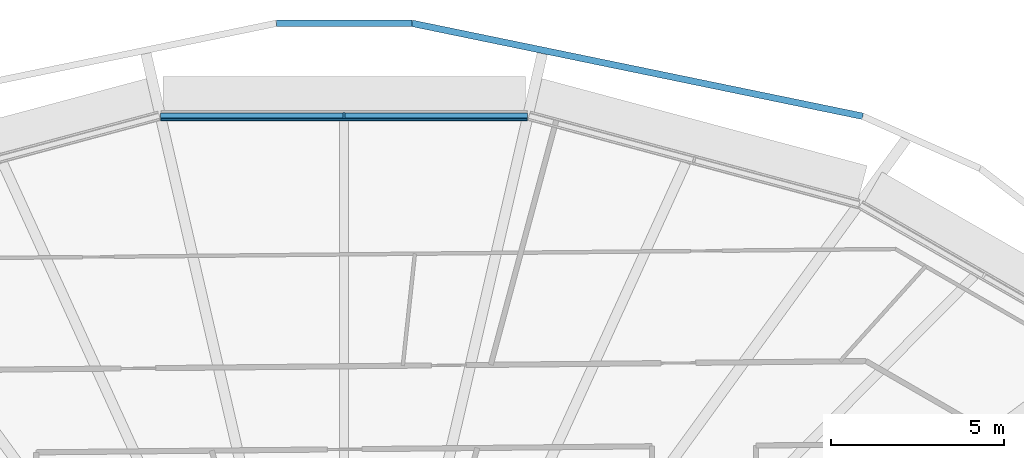
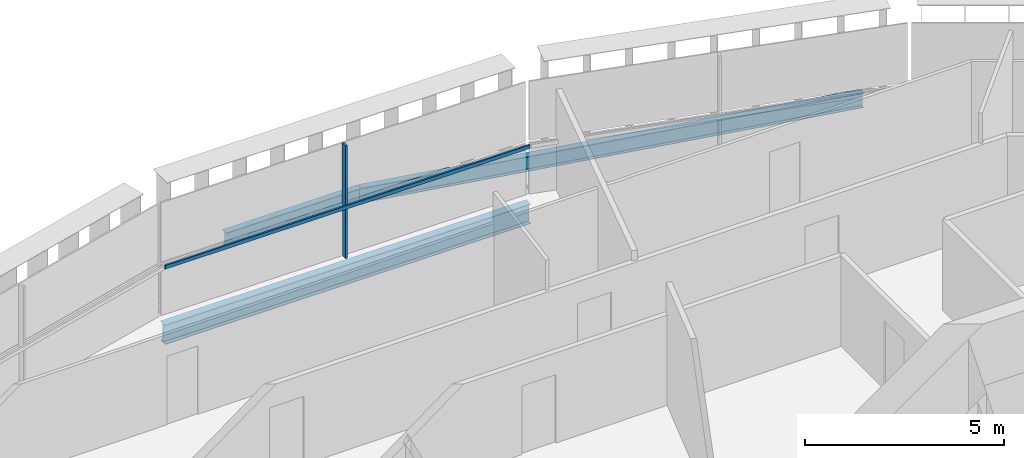
# One storey, part 8 of 23: 3 beams, 2 members, 1 element without a shape of its own.
"""IFC4 building model written with IfcOpenShell, lengths in metres."""

from ifc_helpers import new_model, si_unit, direction, frame, origin, origin_2d, place, context, subcontext, project, spatial, rectangle, i_section, extrude, material, layer, layer_set, material_profile, profile_set, type_object, element, aggregate, save


model = new_model("IFC4")

# Units and contexts
model_context = context("Model", 3, precision=1e-05, world=origin(), true_north=direction((0.0, 1.0)))
body_context = subcontext(model_context, "Body", "Model", "MODEL_VIEW")
ifc_project = project(units=[si_unit("LENGTHUNIT", "METRE"), si_unit("AREAUNIT", "SQUARE_METRE"), si_unit("VOLUMEUNIT", "CUBIC_METRE"), si_unit("PLANEANGLEUNIT", "RADIAN"), si_unit("MASSUNIT", "GRAM", prefix="KILO")], contexts=[model_context])

# Site, building, storey
site_placement = place(None, origin())
site = spatial("IfcSite", under=ifc_project, at=site_placement, CompositionType="ELEMENT")
building_placement = place(site_placement, origin())
building = spatial("IfcBuilding", under=site, at=building_placement, Name="Sahrelin Media Tower", CompositionType="ELEMENT")
storey_placement = place(building_placement, frame((0.0, 0.0, 185.60009765625)))
storey = spatial("IfcBuildingStorey", under=building, at=storey_placement, Name="L39", CompositionType="ELEMENT", Elevation=185.60009765625)

# Beam
ifc_material_1 = material(Name="Steel S355", Category="steel")
ifc_material_profile_1 = material_profile(ifc_material_1, i_section(OverallWidth=0.2275390625, OverallDepth=0.6025390625, WebThickness=0.010498046875, FlangeThickness=0.014892578125, FilletRadius=0.0126953125, at=origin_2d()), Name="UB 610x229x101")
ifc_profile_set_1 = profile_set([ifc_material_profile_1], Name="Steel S355")
beam_type_1 = type_object("IfcBeamType", Name="Edge beam EB7", PredefinedType="BEAM", material=ifc_profile_set_1)
beam_1_placement = place(storey_placement, frame((-5.305419921875, 22.97900390625, -0.451416015625), z_axis=(1.0, 0.0, 0.0), x_axis=(0.0, 1.0, 0.0)))
element("IfcBeam", 1, at=beam_1_placement, inside=storey, type_object=beam_type_1, Name="Edge beam L39-19", PredefinedType="BEAM", context=body_context, shape_type="SweptSolid", body=[
    extrude(i_section(OverallWidth=0.2275390625, OverallDepth=0.6025390625, WebThickness=0.010498046875, FlangeThickness=0.014892578125, FilletRadius=0.0126953125, at=origin_2d()), origin(), (0.0, 0.0, 1.0), 10.61083984375),
])

# Curtain wall, member
ifc_material_2 = material(Name="Champagne anodised aluminium 6063-T6", Category="aluminium")
ifc_layer = layer(ifc_material_2, 0.14990234375)
ifc_layer_set = layer_set([ifc_layer], Name="Tower ribbon curtain wall")
curtain_wall_type = type_object("IfcCurtainWallType", Name="Tower ribbon curtain wall", PredefinedType="NOTDEFINED", material=ifc_layer_set)
curtain_wall_placement = place(storey_placement, frame((0.0, 23.12890625, 0.0), z_axis=(0.0, 0.0, 1.0), x_axis=(1.0, 0.0, 0.0)))
curtain_wall = element("IfcCurtainWall", 2, at=curtain_wall_placement, inside=storey, type_object=curtain_wall_type, Name="L39:CW:L39-06", PredefinedType="NOTDEFINED")
ifc_material_profile_2 = material_profile(ifc_material_2, rectangle(XDim=0.06005859375, YDim=0.175048828125, at=origin_2d()), Name="Mullion 60x175")
ifc_profile_set_2 = profile_set([ifc_material_profile_2], Name="Champagne anodised aluminium 6063-T6")
member_type_1 = type_object("IfcMemberType", Name="Mullion 60x175 CW1B", PredefinedType="MULLION", material=ifc_profile_set_2)
member_1_placement = place(storey_placement, frame((0.0, 23.021484375, 0.0), z_axis=(0.0, 0.0, 1.0), x_axis=(-1.0, 0.0, 0.0)))
member_1 = element("IfcMember", 3, at=member_1_placement, type_object=member_type_1, Name="L39:CWM:L39-06", PredefinedType="MULLION", context=body_context, shape_type="SweptSolid", body=[
    extrude(rectangle(XDim=0.06005859375, YDim=0.175048828125, at=origin_2d()), origin(), (0.0, 0.0, 1.0), 3.448486328125),
])

# Beams
ifc_material_profile_3 = material_profile(ifc_material_1, i_section(OverallWidth=0.1904296875, OverallDepth=0.45703125, WebThickness=0.009033203125, FlangeThickness=0.014404296875, FilletRadius=0.01025390625, at=origin_2d()), Name="UB 457x191x74")
ifc_profile_set_3 = profile_set([ifc_material_profile_3], Name="Steel S355")
beam_type_2 = type_object("IfcBeamType", Name="Tie chord TC5", PredefinedType="BEAM", material=ifc_profile_set_3)
beam_2_placement = place(storey_placement, frame((14.9873046875, 22.994873046875, -0.378662109375), z_axis=(-0.979389291398, 0.201981721684, 0.0), x_axis=(-0.201981721684, -0.979389291398, 0.0)))
element("IfcBeam", 4, at=beam_2_placement, inside=storey, type_object=beam_type_2, Name="Tie chord L39-05", PredefinedType="BEAM", context=body_context, shape_type="SweptSolid", body=[
    extrude(i_section(OverallWidth=0.1904296875, OverallDepth=0.45703125, WebThickness=0.009033203125, FlangeThickness=0.014404296875, FilletRadius=0.01025390625, at=origin_2d()), origin(), (0.0, 0.0, 1.0), 13.30322265625),
])
beam_3_placement = place(storey_placement, frame((1.958251953125, 25.681884765625, -0.378662109375), z_axis=(-1.0, 0.0, 0.0), x_axis=(0.0, -1.0, 0.0)))
element("IfcBeam", 5, at=beam_3_placement, inside=storey, type_object=beam_type_2, Name="Tie chord L39-06", PredefinedType="BEAM", context=body_context, shape_type="SweptSolid", body=[
    extrude(i_section(OverallWidth=0.1904296875, OverallDepth=0.45703125, WebThickness=0.009033203125, FlangeThickness=0.014404296875, FilletRadius=0.01025390625, at=origin_2d()), origin(), (0.0, 0.0, 1.0), 3.91650390625),
])

# Member
ifc_material_profile_4 = material_profile(ifc_material_2, rectangle(XDim=0.050048828125, YDim=0.110107421875, at=origin_2d()), Name="Transom 50x110")
ifc_profile_set_4 = profile_set([ifc_material_profile_4], Name="Champagne anodised aluminium 6063-T6")
member_type_2 = type_object("IfcMemberType", Name="Transom 50x110 CW1B", PredefinedType="USERDEFINED", material=ifc_profile_set_4)
member_2_placement = place(storey_placement, frame((5.28955078125, 22.908935546875, 1.599853515625), z_axis=(-1.0, 0.0, 0.0), x_axis=(0.0, -1.0, 0.0)))
member_2 = element("IfcMember", 6, at=member_2_placement, type_object=member_type_2, Name="L39:CWT:L39-06", ObjectType="TRANSOM", PredefinedType="USERDEFINED", context=body_context, shape_type="SweptSolid", body=[
    extrude(rectangle(XDim=0.050048828125, YDim=0.110107421875, at=origin_2d()), origin(), (0.0, 0.0, 1.0), 10.5791015625),
])

aggregate(curtain_wall, [member_1, member_2])

save(model, "model.ifc")
